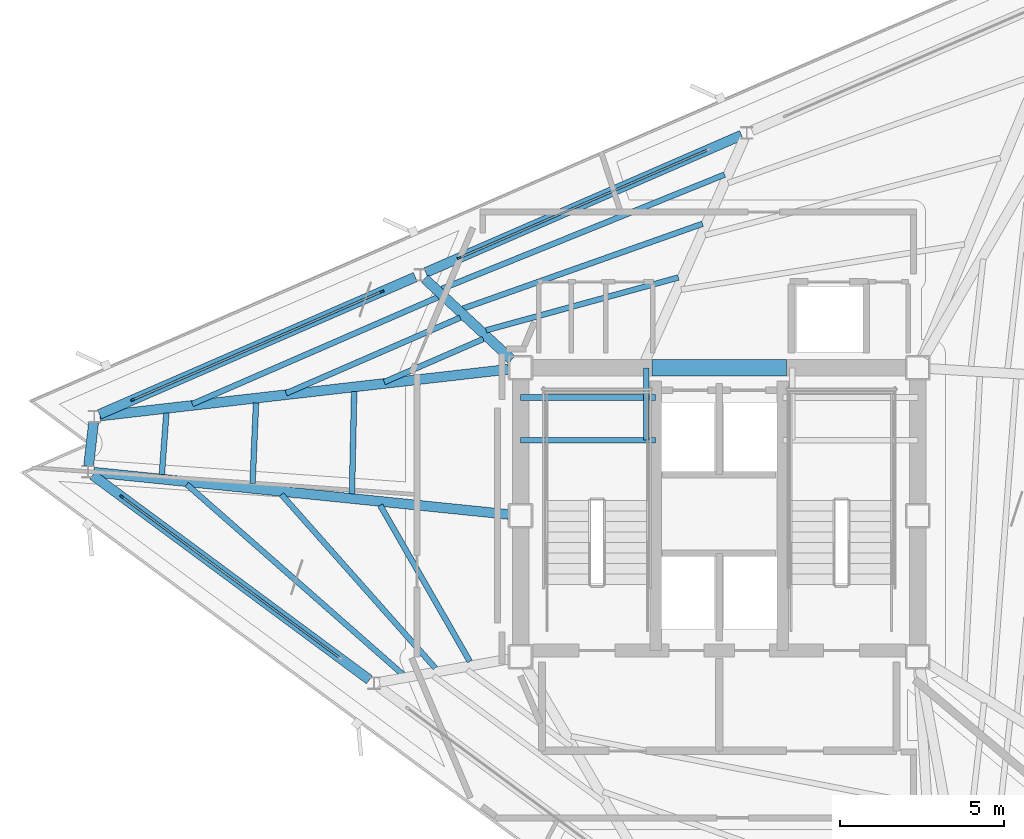
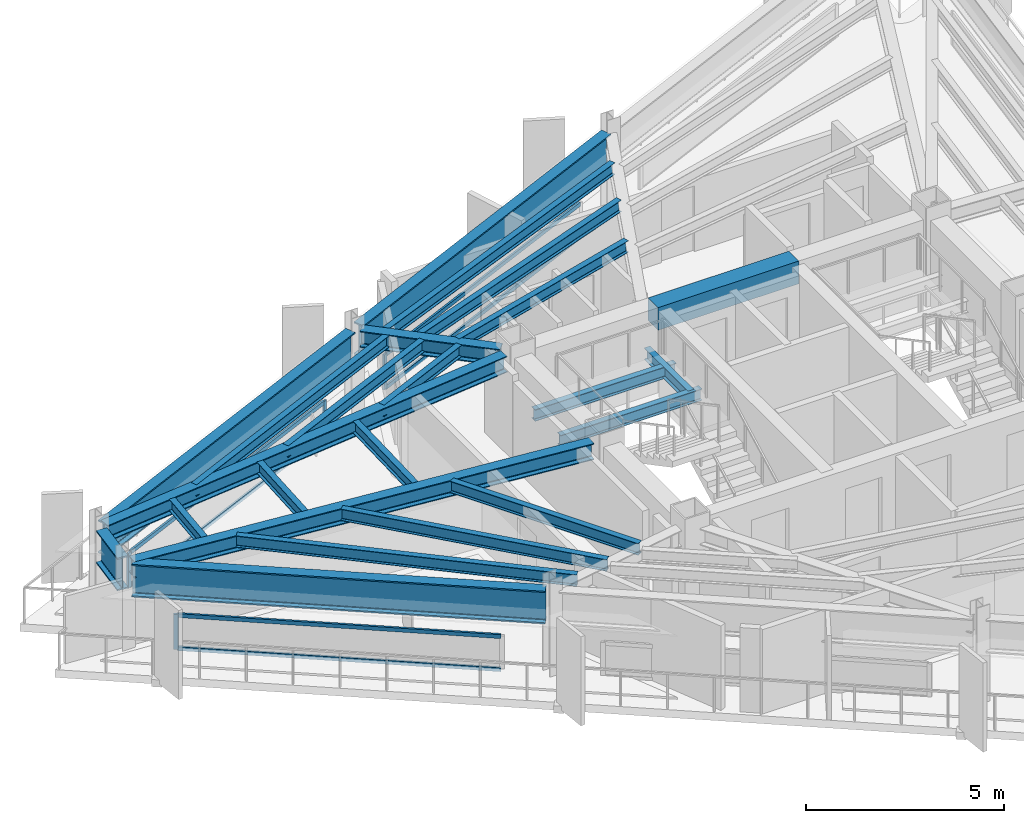
# One storey, part 3 of 9: 23 beams, 10 members, 3 elements without a shape of their own.
"""IFC4 building model written with IfcOpenShell, lengths in metres."""

from ifc_helpers import new_model, si_unit, direction, frame, origin, origin_2d, place, context, subcontext, project, spatial, rectangle, i_section, extrude, material, layer, layer_set, material_profile, profile_set, type_object, element, aggregate, save


model = new_model("IFC4")

# Units and contexts
model_context = context("Model", 3, precision=1e-05, world=origin(), true_north=direction((0.0, 1.0)))
body_context = subcontext(model_context, "Body", "Model", "MODEL_VIEW")
ifc_project = project(units=[si_unit("LENGTHUNIT", "METRE"), si_unit("AREAUNIT", "SQUARE_METRE"), si_unit("VOLUMEUNIT", "CUBIC_METRE"), si_unit("PLANEANGLEUNIT", "RADIAN"), si_unit("MASSUNIT", "GRAM", prefix="KILO")], contexts=[model_context])

# Site, building, storey
site_placement = place(None, origin())
site = spatial("IfcSite", under=ifc_project, at=site_placement, CompositionType="ELEMENT")
building_placement = place(site_placement, origin())
building = spatial("IfcBuilding", under=site, at=building_placement, Name="Rocaltana Carrier Exchange", CompositionType="ELEMENT")
storey_placement = place(building_placement, frame((0.0, 0.0, 236.159912109375)))
storey = spatial("IfcBuildingStorey", under=building, at=storey_placement, Name="L75", CompositionType="ELEMENT", Elevation=236.159912109375)

# Curtain wall, member
ifc_material_1 = material(Name="Aluminium 6063-T6", Category="aluminium")
ifc_layer = layer(ifc_material_1, 0.1201171875)
ifc_layer_set = layer_set([ifc_layer], Name="Aluminium 6063-T6")
curtain_wall_type = type_object("IfcCurtainWallType", Name="High-Altitude Thermal Curtain Wall CW-05", PredefinedType="NOTDEFINED", material=ifc_layer_set)
curtain_wall_1_placement = place(storey_placement, origin())
curtain_wall_1 = element("IfcCurtainWall", 1, at=curtain_wall_1_placement, inside=storey, type_object=curtain_wall_type, Name="L75 CW-05 Run CW-L75-F2S2", PredefinedType="NOTDEFINED")
ifc_material_2 = material(Name="Aluminium 6063-T6", Category="aluminium")
ifc_material_profile_1 = material_profile(ifc_material_2, rectangle(XDim=0.06005859375, YDim=0.1201171875, at=origin_2d()), Name="AL-60X120")
ifc_profile_set_1 = profile_set([ifc_material_profile_1], Name="Aluminium 6063-T6")
member_type_1 = type_object("IfcMemberType", Name="CW-05 Mullion AL-60X120", PredefinedType="MULLION", material=ifc_profile_set_1)
member_1_placement = place(storey_placement, frame((-7.922607421875, 7.846435546875, 0.0), z_axis=(0.0, 0.0, 1.0), x_axis=(0.398752438254, -0.917058609352, 0.0)))
member_1 = element("IfcMember", 2, at=member_1_placement, type_object=member_type_1, Name="CW-05 mullion 2", PredefinedType="MULLION", context=body_context, shape_type="SweptSolid", body=[
    extrude(rectangle(XDim=0.06005859375, YDim=0.1201171875, at=origin_2d()), origin(), (0.0, 0.0, 1.0), 1.078125),
])

# Curtain wall, members
curtain_wall_2_placement = place(storey_placement, origin())
curtain_wall_2 = element("IfcCurtainWall", 3, at=curtain_wall_2_placement, inside=storey, type_object=curtain_wall_type, Name="L75 CW-05 Run CW-L75-F2S3", PredefinedType="NOTDEFINED")
member_2_placement = place(storey_placement, frame((-10.270263671875, 6.82568359375, 0.0), z_axis=(0.0, 0.0, 1.0), x_axis=(0.39875682637, -0.917056701313, 0.0)))
member_2 = element("IfcMember", 4, at=member_2_placement, type_object=member_type_1, Name="CW-05 mullion 1", PredefinedType="MULLION", context=body_context, shape_type="SweptSolid", body=[
    extrude(rectangle(XDim=0.06005859375, YDim=0.1201171875, at=origin_2d()), origin(), (0.0, 0.0, 1.0), 1.078125),
])
member_3_placement = place(storey_placement, frame((-17.857421875, 3.526611328125, 0.0), z_axis=(0.0, 0.0, 1.0), x_axis=(0.39875682637, -0.917056701313, 0.0)))
member_3 = element("IfcMember", 5, at=member_3_placement, type_object=member_type_1, Name="CW-05 mullion 2", PredefinedType="MULLION", context=body_context, shape_type="SweptSolid", body=[
    extrude(rectangle(XDim=0.06005859375, YDim=0.1201171875, at=origin_2d()), origin(), (0.0, 0.0, 1.0), 1.078125),
])

# Curtain wall, member
curtain_wall_3_placement = place(storey_placement, origin())
curtain_wall_3 = element("IfcCurtainWall", 6, at=curtain_wall_3_placement, inside=storey, type_object=curtain_wall_type, Name="L75 CW-05 Run CW-L75-F3S1", PredefinedType="NOTDEFINED")
member_4_placement = place(storey_placement, frame((-18.19287109375, 0.580810546875, 0.0), z_axis=(0.0, 0.0, 1.0), x_axis=(0.594826566974, 0.803854063386, 0.0)))
member_4 = element("IfcMember", 7, at=member_4_placement, type_object=member_type_1, Name="CW-05 mullion 1", PredefinedType="MULLION", context=body_context, shape_type="SweptSolid", body=[
    extrude(rectangle(XDim=0.06005859375, YDim=0.1201171875, at=origin_2d()), origin(), (0.0, 0.0, 1.0), 1.078125),
])

# Member
ifc_material_3 = material(Name="Aluminium 6063-T6", Category="aluminium")
ifc_material_profile_2 = material_profile(ifc_material_3, rectangle(XDim=0.06005859375, YDim=0.1201171875, at=origin_2d()), Name="AL-60X120")
ifc_profile_set_2 = profile_set([ifc_material_profile_2], Name="Aluminium 6063-T6")
member_type_2 = type_object("IfcMemberType", Name="CW-05 Transom AL-60X120", PredefinedType="USERDEFINED", material=ifc_profile_set_2)
member_5_placement = place(storey_placement, frame((-0.36279296875, 11.133544921875, 0.030029296875), z_axis=(-0.917058241688, -0.398753283814, 0.0), x_axis=(0.398753283814, -0.917058241688, 0.0)))
member_5 = element("IfcMember", 8, at=member_5_placement, type_object=member_type_2, Name="CW-05 transom 1.1", ObjectType="TRANSOM", PredefinedType="USERDEFINED", context=body_context, shape_type="SweptSolid", body=[
    extrude(rectangle(XDim=0.06005859375, YDim=0.1201171875, at=origin_2d()), origin(), (0.0, 0.0, 1.0), 8.21337890625),
])

member_6_placement = place(storey_placement, frame((-0.36279296875, 11.133544921875, 1.048095703125), z_axis=(-0.917058241688, -0.398753283814, 0.0), x_axis=(0.398753283814, -0.917058241688, 0.0)))
member_6 = element("IfcMember", 9, at=member_6_placement, type_object=member_type_2, Name="CW-05 transom 1.2", ObjectType="TRANSOM", PredefinedType="USERDEFINED", context=body_context, shape_type="SweptSolid", body=[
    extrude(rectangle(XDim=0.06005859375, YDim=0.1201171875, at=origin_2d()), origin(), (0.0, 0.0, 1.0), 8.21337890625),
])

aggregate(curtain_wall_1, [member_1, member_5, member_6])

member_7_placement = place(storey_placement, frame((-10.297607421875, 6.813720703125, 0.030029296875), z_axis=(-0.917058241688, -0.398753283814, 0.0), x_axis=(0.398753283814, -0.917058241688, 0.0)))
member_7 = element("IfcMember", 10, at=member_7_placement, type_object=member_type_2, Name="CW-05 transom 1.1", ObjectType="TRANSOM", PredefinedType="USERDEFINED", context=body_context, shape_type="SweptSolid", body=[
    extrude(rectangle(XDim=0.06005859375, YDim=0.1201171875, at=origin_2d()), origin(), (0.0, 0.0, 1.0), 8.21337890625),
])

member_8_placement = place(storey_placement, frame((-10.297607421875, 6.813720703125, 1.048095703125), z_axis=(-0.917058241688, -0.398753283814, 0.0), x_axis=(0.398753283814, -0.917058241688, 0.0)))
member_8 = element("IfcMember", 11, at=member_8_placement, type_object=member_type_2, Name="CW-05 transom 1.2", ObjectType="TRANSOM", PredefinedType="USERDEFINED", context=body_context, shape_type="SweptSolid", body=[
    extrude(rectangle(XDim=0.06005859375, YDim=0.1201171875, at=origin_2d()), origin(), (0.0, 0.0, 1.0), 8.21337890625),
])

aggregate(curtain_wall_2, [member_2, member_3, member_7, member_8])

member_9_placement = place(storey_placement, frame((-18.1689453125, 0.56298828125, 0.030029296875), z_axis=(0.803853553959, -0.594827255418, 0.0), x_axis=(0.594827255418, 0.803853553959, 0.0)))
member_9 = element("IfcMember", 12, at=member_9_placement, type_object=member_type_2, Name="CW-05 transom 1.1", ObjectType="TRANSOM", PredefinedType="USERDEFINED", context=body_context, shape_type="SweptSolid", body=[
    extrude(rectangle(XDim=0.06005859375, YDim=0.1201171875, at=origin_2d()), origin(), (0.0, 0.0, 1.0), 8.21337890625),
])

member_10_placement = place(storey_placement, frame((-18.1689453125, 0.56298828125, 1.048095703125), z_axis=(0.803853553959, -0.594827255418, 0.0), x_axis=(0.594827255418, 0.803853553959, 0.0)))
member_10 = element("IfcMember", 13, at=member_10_placement, type_object=member_type_2, Name="CW-05 transom 1.2", ObjectType="TRANSOM", PredefinedType="USERDEFINED", context=body_context, shape_type="SweptSolid", body=[
    extrude(rectangle(XDim=0.06005859375, YDim=0.1201171875, at=origin_2d()), origin(), (0.0, 0.0, 1.0), 8.21337890625),
])

aggregate(curtain_wall_3, [member_4, member_9, member_10])

# Beams
ifc_material_4 = material(Name="Concrete C60/75", Category="concrete")
ifc_material_profile_3 = material_profile(ifc_material_4, rectangle(XDim=0.5, YDim=0.699951171875, at=origin_2d()), Name="RC-BM-500X700")
ifc_profile_set_3 = profile_set([ifc_material_profile_3], Name="Concrete C60/75")
beam_type_1 = type_object("IfcBeamType", Name="Core Coupling Lintel 500x700", PredefinedType="LINTEL", material=ifc_profile_set_3)
beam_1_placement = place(storey_placement, frame((-2.050048828125, 4.5, 2.26806640625), z_axis=(1.0, 0.0, 0.0), x_axis=(0.0, 1.0, 0.0)))
element("IfcBeam", 14, at=beam_1_placement, inside=storey, type_object=beam_type_1, Name="L75 Core Coupling Lintel CL-N", PredefinedType="LINTEL", context=body_context, shape_type="SweptSolid", body=[
    extrude(rectangle(XDim=0.5, YDim=0.699951171875, at=origin_2d()), origin(), (0.0, 0.0, 1.0), 4.10009765625),
])
ifc_material_5 = material(Name="Steel S355", Category="steel")
ifc_material_profile_4 = material_profile(ifc_material_5, i_section(OverallWidth=0.172119140625, OverallDepth=0.35791015625, WebThickness=0.0078125, FlangeThickness=0.01318359375, FilletRadius=0.011962890625, at=origin_2d()), Name="W14X38")
ifc_profile_set_4 = profile_set([ifc_material_profile_4], Name="Steel S355")
beam_type_2 = type_object("IfcBeamType", Name="Floor Joist W14X38", PredefinedType="JOIST", material=ifc_profile_set_4)
for number, where, z_axis, x_axis, name in (
    (15, (-6.050048828125, 2.300048828125, 1.14111328125), (1.0, 0.0, 0.0), (0.0, 1.0, 0.0), "L75 ST-1 Landing Carrier 1"),
    (16, (-6.050048828125, 3.60009765625, 1.14111328125), (1.0, 0.0, 0.0), (0.0, 1.0, 0.0), "L75 ST-1 Landing Carrier 2"),
):
    element("IfcBeam", number, at=place(storey_placement, frame(where, z_axis=z_axis, x_axis=x_axis)), inside=storey, type_object=beam_type_2, Name=name, PredefinedType="JOIST", context=body_context, shape_type="SweptSolid", body=[
        extrude(i_section(OverallWidth=0.172119140625, OverallDepth=0.35791015625, WebThickness=0.0078125, FlangeThickness=0.01318359375, FilletRadius=0.011962890625, at=origin_2d()), origin(), (0.0, 0.0, 1.0), 4.110107421875),
    ])
beam_2_placement = place(storey_placement, frame((-2.219970703125, 2.300048828125, 1.14111328125), z_axis=(0.0, 1.0, 0.0), x_axis=(-1.0, 0.0, 0.0)))
element("IfcBeam", 17, at=beam_2_placement, inside=storey, type_object=beam_type_2, Name="L75 ST-1 Landing Cross Trimmer", PredefinedType="JOIST", context=body_context, shape_type="SweptSolid", body=[
    extrude(i_section(OverallWidth=0.172119140625, OverallDepth=0.35791015625, WebThickness=0.0078125, FlangeThickness=0.01318359375, FilletRadius=0.011962890625, at=origin_2d()), origin(), (0.0, 0.0, 1.0), 2.199951171875),
])
beam_3_placement = place(storey_placement, frame((-1.245361328125, 7.252685546875, 2.439208984375), z_axis=(-0.964263719162, -0.26494429586, 0.0), x_axis=(0.26494429586, -0.964263719162, 0.0)))
element("IfcBeam", 18, at=beam_3_placement, inside=storey, type_object=beam_type_2, Name="FJ-L75-06-1", PredefinedType="JOIST", context=body_context, shape_type="SweptSolid", body=[
    extrude(i_section(OverallWidth=0.172119140625, OverallDepth=0.35791015625, WebThickness=0.0078125, FlangeThickness=0.01318359375, FilletRadius=0.011962890625, at=origin_2d()), origin(), (0.0, 0.0, 1.0), 6.07080078125),
])
beam_4_placement = place(storey_placement, frame((-0.5087890625, 8.888427734375, 2.439208984375), z_axis=(-0.942681203014, -0.333694695019, 0.0), x_axis=(0.333694695019, -0.942681203014, 0.0)))
element("IfcBeam", 19, at=beam_4_placement, inside=storey, type_object=beam_type_2, Name="FJ-L75-06-2", PredefinedType="JOIST", context=body_context, shape_type="SweptSolid", body=[
    extrude(i_section(OverallWidth=0.172119140625, OverallDepth=0.35791015625, WebThickness=0.0078125, FlangeThickness=0.01318359375, FilletRadius=0.011962890625, at=origin_2d()), origin(), (0.0, 0.0, 1.0), 7.73779296875),
])
beam_5_placement = place(storey_placement, frame((0.162841796875, 10.385498046875, 2.439208984375), z_axis=(-0.927185285553, -0.374603051582, 0.0), x_axis=(0.374603051582, -0.927185285553, 0.0)))
element("IfcBeam", 20, at=beam_5_placement, inside=storey, type_object=beam_type_2, Name="FJ-L75-06-3", PredefinedType="JOIST", context=body_context, shape_type="SweptSolid", body=[
    extrude(i_section(OverallWidth=0.172119140625, OverallDepth=0.35791015625, WebThickness=0.0078125, FlangeThickness=0.01318359375, FilletRadius=0.011962890625, at=origin_2d()), origin(), (0.0, 0.0, 1.0), 9.283935546875),
])
beam_6_placement = place(storey_placement, frame((-7.1875, 5.37841796875, 2.439208984375), z_axis=(-0.917065332478, -0.398736975923, 0.0), x_axis=(0.398736975923, -0.917065332478, 0.0)))
element("IfcBeam", 21, at=beam_6_placement, inside=storey, type_object=beam_type_2, Name="FJ-L75-07-1", PredefinedType="JOIST", context=body_context, shape_type="SweptSolid", body=[
    extrude(i_section(OverallWidth=0.172119140625, OverallDepth=0.35791015625, WebThickness=0.0078125, FlangeThickness=0.01318359375, FilletRadius=0.011962890625, at=origin_2d()), origin(), (0.0, 0.0, 1.0), 3.286865234375),
])
beam_7_placement = place(storey_placement, frame((-7.887939453125, 6.03076171875, 2.439208984375), z_axis=(-0.917067369584, -0.398732290696, 0.0), x_axis=(0.398732290696, -0.917067369584, 0.0)))
element("IfcBeam", 22, at=beam_7_placement, inside=storey, type_object=beam_type_2, Name="FJ-L75-07-2", PredefinedType="JOIST", context=body_context, shape_type="SweptSolid", body=[
    extrude(i_section(OverallWidth=0.172119140625, OverallDepth=0.35791015625, WebThickness=0.0078125, FlangeThickness=0.01318359375, FilletRadius=0.011962890625, at=origin_2d()), origin(), (0.0, 0.0, 1.0), 5.77880859375),
])
beam_8_placement = place(storey_placement, frame((-8.55810546875, 6.65478515625, 2.439208984375), z_axis=(-0.917059118447, -0.398751267426, 0.0), x_axis=(0.398751267426, -0.917059118447, 0.0)))
element("IfcBeam", 23, at=beam_8_placement, inside=storey, type_object=beam_type_2, Name="FJ-L75-07-3", PredefinedType="JOIST", context=body_context, shape_type="SweptSolid", body=[
    extrude(i_section(OverallWidth=0.172119140625, OverallDepth=0.35791015625, WebThickness=0.0078125, FlangeThickness=0.01318359375, FilletRadius=0.011962890625, at=origin_2d()), origin(), (0.0, 0.0, 1.0), 8.162109375),
])
beam_9_placement = place(storey_placement, frame((-11.11572265625, 3.77734375, 2.439208984375), z_axis=(-0.021897715524, -0.999760216279, 0.0), x_axis=(0.999760216279, -0.021897715524, 0.0)))
element("IfcBeam", 24, at=beam_9_placement, inside=storey, type_object=beam_type_2, Name="FJ-L75-08-1", PredefinedType="JOIST", context=body_context, shape_type="SweptSolid", body=[
    extrude(i_section(OverallWidth=0.172119140625, OverallDepth=0.35791015625, WebThickness=0.0078125, FlangeThickness=0.01318359375, FilletRadius=0.011962890625, at=origin_2d()), origin(), (0.0, 0.0, 1.0), 3.110595703125),
])
beam_10_placement = place(storey_placement, frame((-14.1044921875, 3.436279296875, 2.439208984375), z_axis=(-0.04302848557, -0.999073845834, 0.0), x_axis=(0.999073845834, -0.04302848557, 0.0)))
element("IfcBeam", 25, at=beam_10_placement, inside=storey, type_object=beam_type_2, Name="FJ-L75-08-2", PredefinedType="JOIST", context=body_context, shape_type="SweptSolid", body=[
    extrude(i_section(OverallWidth=0.172119140625, OverallDepth=0.35791015625, WebThickness=0.0078125, FlangeThickness=0.01318359375, FilletRadius=0.011962890625, at=origin_2d()), origin(), (0.0, 0.0, 1.0), 2.46240234375),
])
beam_11_placement = place(storey_placement, frame((-16.8349609375, 3.124755859375, 2.439208984375), z_axis=(-0.07328566638, -0.997310990165, 0.0), x_axis=(0.997310990165, -0.07328566638, 0.0)))
element("IfcBeam", 26, at=beam_11_placement, inside=storey, type_object=beam_type_2, Name="FJ-L75-08-3", PredefinedType="JOIST", context=body_context, shape_type="SweptSolid", body=[
    extrude(i_section(OverallWidth=0.172119140625, OverallDepth=0.35791015625, WebThickness=0.0078125, FlangeThickness=0.01318359375, FilletRadius=0.011962890625, at=origin_2d()), origin(), (0.0, 0.0, 1.0), 1.872314453125),
])
beam_12_placement = place(storey_placement, frame((-10.3251953125, 0.318115234375, 2.439208984375), z_axis=(0.497781973969, -0.867302200153, 0.0), x_axis=(0.867302200153, 0.497781973969, 0.0)))
element("IfcBeam", 27, at=beam_12_placement, inside=storey, type_object=beam_type_2, Name="FJ-L75-09-1", PredefinedType="JOIST", context=body_context, shape_type="SweptSolid", body=[
    extrude(i_section(OverallWidth=0.172119140625, OverallDepth=0.35791015625, WebThickness=0.0078125, FlangeThickness=0.01318359375, FilletRadius=0.011962890625, at=origin_2d()), origin(), (0.0, 0.0, 1.0), 5.48583984375),
])
beam_13_placement = place(storey_placement, frame((-13.330810546875, 0.643798828125, 2.439208984375), z_axis=(0.663404294512, -0.748261145605, 0.0), x_axis=(0.748261145605, 0.663404294512, 0.0)))
element("IfcBeam", 28, at=beam_13_placement, inside=storey, type_object=beam_type_2, Name="FJ-L75-09-2", PredefinedType="JOIST", context=body_context, shape_type="SweptSolid", body=[
    extrude(i_section(OverallWidth=0.172119140625, OverallDepth=0.35791015625, WebThickness=0.0078125, FlangeThickness=0.01318359375, FilletRadius=0.011962890625, at=origin_2d()), origin(), (0.0, 0.0, 1.0), 7.063232421875),
])
beam_14_placement = place(storey_placement, frame((-16.2158203125, 0.951904296875, 2.439208984375), z_axis=(0.750985569643, -0.66031861566, 0.0), x_axis=(0.66031861566, 0.750985569643, 0.0)))
element("IfcBeam", 29, at=beam_14_placement, inside=storey, type_object=beam_type_2, Name="FJ-L75-09-3", PredefinedType="JOIST", context=body_context, shape_type="SweptSolid", body=[
    extrude(i_section(OverallWidth=0.172119140625, OverallDepth=0.35791015625, WebThickness=0.0078125, FlangeThickness=0.01318359375, FilletRadius=0.011962890625, at=origin_2d()), origin(), (0.0, 0.0, 1.0), 8.7568359375),
])
ifc_material_6 = material(Name="Steel S460", Category="steel")
ifc_material_profile_5 = material_profile(ifc_material_6, i_section(OverallWidth=0.302001953125, OverallDepth=1.008056640625, WebThickness=0.02099609375, FlangeThickness=0.0400390625, FilletRadius=0.030029296875, at=origin_2d()), Name="HEM1000")
ifc_profile_set_5 = profile_set([ifc_material_profile_5], Name="Steel S460")
beam_type_3 = type_object("IfcBeamType", Name="Transfer Ring Girder HEM1000", PredefinedType="USERDEFINED", material=ifc_profile_set_5)
beam_15_placement = place(storey_placement, frame((0.678955078125, 11.58642578125, 2.114013671875), z_axis=(-0.917064503536, -0.398738882421, 0.0), x_axis=(0.398738882421, -0.917064503536, 0.0)))
element("IfcBeam", 30, at=beam_15_placement, inside=storey, type_object=beam_type_3, Name="SP-L75-06", ObjectType="TRANSFER GIRDER", PredefinedType="USERDEFINED", context=body_context, shape_type="SweptSolid", body=[
    extrude(i_section(OverallWidth=0.302001953125, OverallDepth=1.008056640625, WebThickness=0.02099609375, FlangeThickness=0.0400390625, FilletRadius=0.030029296875, at=origin_2d()), origin(), (0.0, 0.0, 1.0), 10.4853515625),
])
beam_16_placement = place(storey_placement, frame((-9.256103515625, 7.2666015625, 2.114013671875), z_axis=(-0.917060801428, -0.398747396838, 0.0), x_axis=(0.398747396838, -0.917060801428, 0.0)))
element("IfcBeam", 31, at=beam_16_placement, inside=storey, type_object=beam_type_3, Name="SP-L75-07", ObjectType="TRANSFER GIRDER", PredefinedType="USERDEFINED", context=body_context, shape_type="SweptSolid", body=[
    extrude(i_section(OverallWidth=0.302001953125, OverallDepth=1.008056640625, WebThickness=0.02099609375, FlangeThickness=0.0400390625, FilletRadius=0.030029296875, at=origin_2d()), origin(), (0.0, 0.0, 1.0), 10.485107421875),
])
beam_17_placement = place(storey_placement, frame((-19.05078125, 2.84326171875, 2.114013671875), z_axis=(-0.113216978155, -0.993570287326, 0.0), x_axis=(0.993570287326, -0.113216978155, 0.0)))
element("IfcBeam", 32, at=beam_17_placement, inside=storey, type_object=beam_type_3, Name="SP-L75-08", ObjectType="TRANSFER GIRDER", PredefinedType="USERDEFINED", context=body_context, shape_type="SweptSolid", body=[
    extrude(i_section(OverallWidth=0.302001953125, OverallDepth=1.008056640625, WebThickness=0.02099609375, FlangeThickness=0.0400390625, FilletRadius=0.030029296875, at=origin_2d()), origin(), (0.0, 0.0, 1.0), 1.3369140625),
])
beam_18_placement = place(storey_placement, frame((-19.08203125, 1.238525390625, 2.114013671875), z_axis=(0.80386149379, -0.594816525326, 0.0), x_axis=(0.594816525326, 0.80386149379, 0.0)))
element("IfcBeam", 33, at=beam_18_placement, inside=storey, type_object=beam_type_3, Name="SP-L75-09", ObjectType="TRANSFER GIRDER", PredefinedType="USERDEFINED", context=body_context, shape_type="SweptSolid", body=[
    extrude(i_section(OverallWidth=0.302001953125, OverallDepth=1.008056640625, WebThickness=0.02099609375, FlangeThickness=0.0400390625, FilletRadius=0.030029296875, at=origin_2d()), origin(), (0.0, 0.0, 1.0), 10.4853515625),
])
ifc_material_7 = material(Name="Steel S355", Category="steel")
ifc_material_profile_6 = material_profile(ifc_material_7, i_section(OverallWidth=0.300048828125, OverallDepth=0.5, WebThickness=0.014404296875, FlangeThickness=0.028076171875, FilletRadius=0.027099609375, at=origin_2d()), Name="HEB500")
ifc_profile_set_6 = profile_set([ifc_material_profile_6], Name="Steel S355")
beam_type_4 = type_object("IfcBeamType", Name="Upper Radial Girder HEB500", PredefinedType="BEAM", material=ifc_profile_set_6)
beam_19_placement = place(storey_placement, frame((-6.318603515625, 4.75, 2.3681640625), z_axis=(-0.731938033682, 0.681371201952, 0.0), x_axis=(-0.681371201952, -0.731938033682, 0.0)))
element("IfcBeam", 34, at=beam_19_placement, inside=storey, type_object=beam_type_4, Name="RG-L75-07", PredefinedType="BEAM", context=body_context, shape_type="SweptSolid", body=[
    extrude(i_section(OverallWidth=0.300048828125, OverallDepth=0.5, WebThickness=0.014404296875, FlangeThickness=0.028076171875, FilletRadius=0.027099609375, at=origin_2d()), origin(), (0.0, 0.0, 1.0), 3.62109375),
])
beam_20_placement = place(storey_placement, frame((-6.41455078125, 4.458251953125, 2.3681640625), z_axis=(-0.993530787672, -0.113563083559, 0.0), x_axis=(0.113563083559, -0.993530787672, 0.0)))
element("IfcBeam", 35, at=beam_20_placement, inside=storey, type_object=beam_type_4, Name="RG-L75-08", PredefinedType="BEAM", context=body_context, shape_type="SweptSolid", body=[
    extrude(i_section(OverallWidth=0.300048828125, OverallDepth=0.5, WebThickness=0.014404296875, FlangeThickness=0.028076171875, FilletRadius=0.027099609375, at=origin_2d()), origin(), (0.0, 0.0, 1.0), 12.52490234375),
])
beam_21_placement = place(storey_placement, frame((-6.4150390625, 0.037109375, 2.3681640625), z_axis=(-0.994848515537, 0.101372733679, 0.0), x_axis=(-0.101372733679, -0.994848515537, 0.0)))
element("IfcBeam", 36, at=beam_21_placement, inside=storey, type_object=beam_type_4, Name="RG-L75-09", PredefinedType="BEAM", context=body_context, shape_type="SweptSolid", body=[
    extrude(i_section(OverallWidth=0.300048828125, OverallDepth=0.5, WebThickness=0.014404296875, FlangeThickness=0.028076171875, FilletRadius=0.027099609375, at=origin_2d()), origin(), (0.0, 0.0, 1.0), 12.69921875),
])

save(model, "model.ifc")
